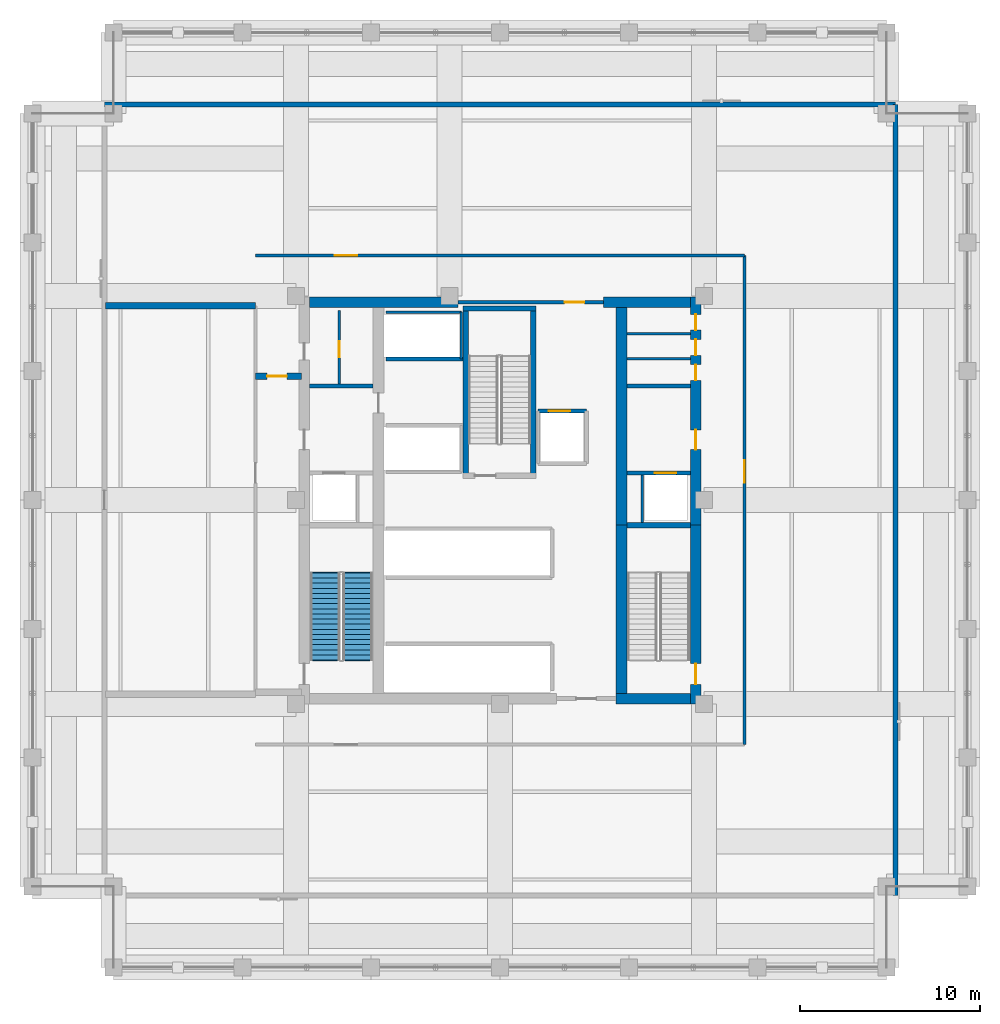
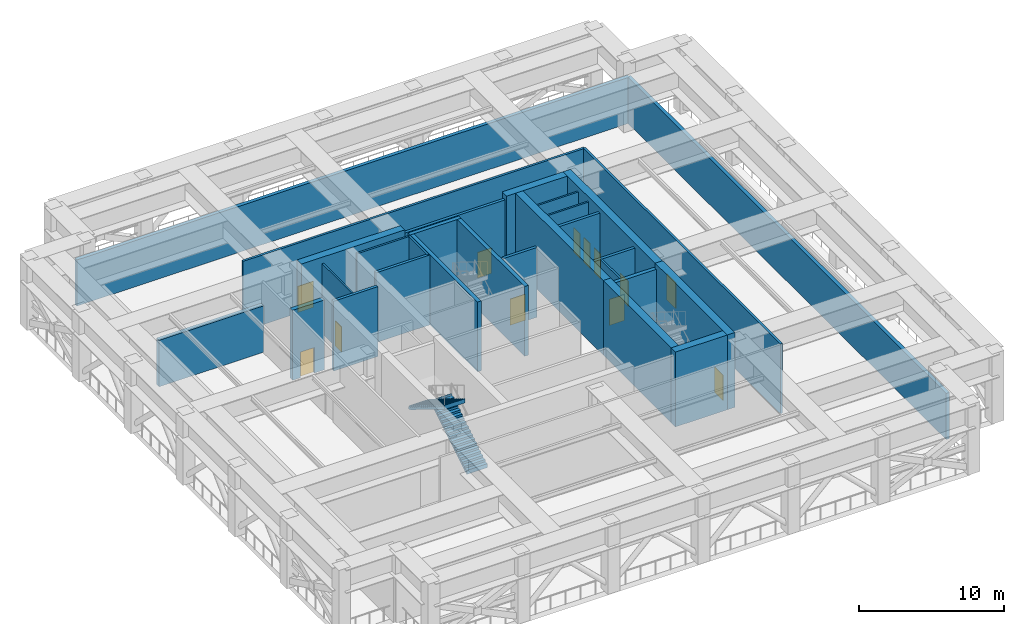
# One storey, part 4 of 12: 29 walls, 12 doors, 2 stair flights, 12 openings, 1 element without a shape of its own.
"""IFC4 building model written with IfcOpenShell, lengths in metres."""

from ifc_helpers import new_model, si_unit, direction, frame, frame_2d, origin, place, context, subcontext, project, spatial, polyline, rectangle, outline, extrude, material, layer, layer_set, type_object, element, fill, aggregate, save


model = new_model("IFC4")

# Units and contexts
model_context = context("Model", 3, precision=1e-05, world=origin(), true_north=direction((0.0, 1.0)))
body_context = subcontext(model_context, "Body", "Model", "MODEL_VIEW")
ifc_project = project(units=[si_unit("LENGTHUNIT", "METRE"), si_unit("AREAUNIT", "SQUARE_METRE"), si_unit("VOLUMEUNIT", "CUBIC_METRE"), si_unit("PLANEANGLEUNIT", "RADIAN"), si_unit("MASSUNIT", "GRAM", prefix="KILO")], contexts=[model_context])

# Site, building, storey
site_placement = place(None, origin())
site = spatial("IfcSite", under=ifc_project, at=site_placement, CompositionType="ELEMENT")
building_placement = place(site_placement, origin())
building = spatial("IfcBuilding", under=site, at=building_placement, Name="Nhamokura Convention Tower", CompositionType="ELEMENT")
storey_placement = place(building_placement, frame((0.0, 0.0, 176.050048828125)))
storey = spatial("IfcBuildingStorey", under=building, at=storey_placement, Name="L43", CompositionType="ELEMENT", Elevation=176.050048828125)

# Wall, opening, door
ifc_material_1 = material(Name="Moisture-resistant tile-backer partition", Category="masonry")
ifc_layer_1 = layer(ifc_material_1, 0.139892578125)
ifc_layer_set_1 = layer_set([ifc_layer_1], Name="BathroomWetWall_140")
wall_type_1 = type_object("IfcWallType", Name="BathroomWetWall_140", PredefinedType="STANDARD", material=ifc_layer_set_1)
wall_1_placement = place(storey_placement, frame((23.050048828125, 38.449951171875, 0.0), z_axis=(0.0, 0.0, 1.0), x_axis=(0.0, 1.0, 0.0)))
wall_1 = element("IfcWall", 1, at=wall_1_placement, inside=storey, type_object=wall_type_1, Name="L43 Wall INT-L43-CWNWV", PredefinedType="STANDARD", context=body_context, shape_type="SweptSolid", body=[
    extrude(rectangle(XDim=4.10009765625, YDim=0.139892578125, at=frame_2d((2.050048828125, 0.0))), origin(), (0.0, 0.0, 1.0), 5.8798828125),
])
opening_1_placement = place(wall_1_placement, frame((1.5, 0.0, 0.0)))
opening_1 = element("IfcOpeningElement", 2, at=opening_1_placement, cuts=wall_1, Name="Opening D-11", PredefinedType="OPENING", context=body_context, shape_type="SweptSolid", body=[
    extrude(rectangle(XDim=0.8798828125, YDim=2.10009765625, at=frame_2d((0.43994140625, 1.050048828125))), frame((0.0, 0.079833984375, 0.0), z_axis=(0.0, -1.0, 0.0), x_axis=(1.0, 0.0, 0.0)), (0.0, 0.0, 1.0), 0.159912109375),
])
ifc_material_2 = material(Name="Solid oak hardwood", Category="wood")
door_type_1 = type_object("IfcDoorType", Name="BathroomDoor_880", OperationType="NOTDEFINED", PredefinedType="DOOR", material=ifc_material_2)
door_1_placement = place(opening_1_placement, origin())
door_1 = element("IfcDoor", 3, at=door_1_placement, inside=storey, type_object=door_type_1, Name="L43 Inner Store Door", OperationType="SINGLE_SWING_LEFT", OverallHeight=2.10009765625, OverallWidth=0.8798828125, PredefinedType="DOOR", context=body_context, shape_type="SweptSolid", body=[
    extrude(rectangle(XDim=0.8798828125, YDim=2.10009765625, at=frame_2d((0.43994140625, 1.050048828125))), frame((0.0, 0.02490234375, 0.0), z_axis=(0.0, -1.0, 0.0), x_axis=(1.0, 0.0, 0.0)), (0.0, 0.0, 1.0), 0.050048828125),
])
fill(opening_1, door_1)

# Walls
for number, where, z_axis, x_axis, name in (
    (4, (39.06005859375, 39.85009765625, 0.0), (0.0, 0.0, 1.0), (1.0, 0.0, 0.0), "L43 Wall INT-L43-CWNE1"),
    (5, (39.06005859375, 41.25, 0.0), (0.0, 0.0, 1.0), (1.0, 0.0, 0.0), "L43 Wall INT-L43-CWNE2"),
):
    element("IfcWall", number, at=place(storey_placement, frame(where, z_axis=z_axis, x_axis=x_axis)), inside=storey, type_object=wall_type_1, Name=name, PredefinedType="STANDARD", context=body_context, shape_type="SweptSolid", body=[
        extrude(rectangle(XDim=3.530029296875, YDim=0.139892578125, at=frame_2d((1.76513671875, 0.0))), origin(), (0.0, 0.0, 1.0), 5.8798828125),
    ])
ifc_material_3 = material(Name="Bronze-pigmented precast concrete C45/55", Category="concrete")
ifc_layer_2 = layer(ifc_material_3, 0.280029296875)
ifc_layer_set_2 = layer_set([ifc_layer_2], Name="BronzePrecastSpandrel_280")
wall_type_2 = type_object("IfcWallType", Name="BronzePrecastSpandrel_280", PredefinedType="USERDEFINED", material=ifc_layer_set_2)
for number, where, z_axis, x_axis, name in (
    (6, (54.0, 54.0, 0.0), (0.0, 0.0, 1.0), (0.0, -1.0, 0.0), "L43 Refuge Deck Enclosure Wall E"),
    (7, (10.0, 54.0, 0.0), (0.0, 0.0, 1.0), (1.0, 0.0, 0.0), "L43 Refuge Deck Enclosure Wall N"),
):
    element("IfcWall", number, at=place(storey_placement, frame(where, z_axis=z_axis, x_axis=x_axis)), inside=storey, type_object=wall_type_2, Name=name, ObjectType="SPANDREL_WALL", PredefinedType="USERDEFINED", context=body_context, shape_type="SweptSolid", body=[
        extrude(rectangle(XDim=44.0, YDim=0.280029296875, at=frame_2d((22.0, 0.0))), origin(), (0.0, 0.0, 1.0), 3.8798828125),
    ])

# Wall, opening, door
ifc_material_4 = material(Name="Concrete C60/75", Category="concrete")
ifc_layer_3 = layer(ifc_material_4, 0.60009765625)
ifc_layer_set_3 = layer_set([ifc_layer_3], Name="CoreShearWall_600")
wall_type_3 = type_object("IfcWallType", Name="CoreShearWall_600", PredefinedType="SHEAR", material=ifc_layer_set_3)
wall_2_placement = place(storey_placement, frame((42.889892578125, 20.64990234375, 0.0), z_axis=(0.0, 0.0, 1.0), x_axis=(0.0, 1.0, 0.0)))
wall_2 = element("IfcWall", 8, at=wall_2_placement, inside=storey, type_object=wall_type_3, Name="L43 Core Shear Wall CW-ES", PredefinedType="SHEAR", context=body_context, shape_type="SweptSolid", body=[
    extrude(rectangle(XDim=9.9501953125, YDim=0.60009765625, at=frame_2d((4.97509765625, 0.0))), origin(), (0.0, 0.0, 1.0), 6.300048828125),
])
opening_2_placement = place(wall_2_placement, frame((1.10009765625, 0.0, 0.0)))
opening_2 = element("IfcOpeningElement", 9, at=opening_2_placement, cuts=wall_2, Name="Opening D-04", PredefinedType="OPENING", context=body_context, shape_type="SweptSolid", body=[
    extrude(rectangle(XDim=1.14990234375, YDim=2.14990234375, at=frame_2d((0.574951171875, 1.074951171875))), frame((0.0, 0.31005859375, 0.0), z_axis=(0.0, -1.0, 0.0), x_axis=(1.0, 0.0, 0.0)), (0.0, 0.0, 1.0), 0.6201171875),
])
ifc_material_5 = material(Name="Fire-rated steel door", Category="steel")
door_type_2 = type_object("IfcDoorType", Name="StairSmokeDoor_1150", OperationType="NOTDEFINED", PredefinedType="DOOR", material=ifc_material_5)
door_2_placement = place(opening_2_placement, origin())
door_2 = element("IfcDoor", 10, at=door_2_placement, inside=storey, type_object=door_type_2, Name="L43 Core Door INT-L43-D-ST02", OperationType="SINGLE_SWING_RIGHT", OverallHeight=2.14990234375, OverallWidth=1.14990234375, PredefinedType="DOOR", context=body_context, shape_type="SweptSolid", body=[
    extrude(rectangle(XDim=1.14990234375, YDim=2.14990234375, at=frame_2d((0.574951171875, 1.074951171875))), frame((0.0, 0.02490234375, 0.0), z_axis=(0.0, -1.0, 0.0), x_axis=(1.0, 0.0, 0.0)), (0.0, 0.0, 1.0), 0.050048828125),
])
fill(opening_2, door_2)

# Wall, openings, doors
wall_3_placement = place(storey_placement, frame((42.889892578125, 30.60009765625, 0.0), z_axis=(0.0, 0.0, 1.0), x_axis=(0.0, 1.0, 0.0)))
wall_3 = element("IfcWall", 11, at=wall_3_placement, inside=storey, type_object=wall_type_3, Name="L43 Core Shear Wall CW-EN", PredefinedType="SHEAR", context=body_context, shape_type="SweptSolid", body=[
    extrude(rectangle(XDim=12.699951171875, YDim=0.60009765625, at=frame_2d((6.35009765625, 0.0))), origin(), (0.0, 0.0, 1.0), 6.300048828125),
])
opening_3_placement = place(wall_3_placement, frame((4.199951171875, 0.0, 0.0)))
opening_3 = element("IfcOpeningElement", 12, at=opening_3_placement, cuts=wall_3, Name="Opening D-05", PredefinedType="OPENING", context=body_context, shape_type="SweptSolid", body=[
    extrude(rectangle(XDim=1.10009765625, YDim=2.14990234375, at=frame_2d((0.550048828125, 1.074951171875))), frame((0.0, 0.31005859375, 0.0), z_axis=(0.0, -1.0, 0.0), x_axis=(1.0, 0.0, 0.0)), (0.0, 0.0, 1.0), 0.6201171875),
])
opening_4_placement = place(wall_3_placement, frame((8.050048828125, 0.0, 0.0)))
opening_4 = element("IfcOpeningElement", 13, at=opening_4_placement, cuts=wall_3, Name="Opening D-11", PredefinedType="OPENING", context=body_context, shape_type="SweptSolid", body=[
    extrude(rectangle(XDim=0.8798828125, YDim=2.10009765625, at=frame_2d((0.43994140625, 1.050048828125))), frame((0.0, 0.31005859375, 0.0), z_axis=(0.0, -1.0, 0.0), x_axis=(1.0, 0.0, 0.0)), (0.0, 0.0, 1.0), 0.6201171875),
])
opening_5_placement = place(wall_3_placement, frame((9.449951171875, 0.0, 0.0)))
opening_5 = element("IfcOpeningElement", 14, at=opening_5_placement, cuts=wall_3, Name="Opening D-11", PredefinedType="OPENING", context=body_context, shape_type="SweptSolid", body=[
    extrude(rectangle(XDim=0.8798828125, YDim=2.10009765625, at=frame_2d((0.43994140625, 1.050048828125))), frame((0.0, 0.31005859375, 0.0), z_axis=(0.0, -1.0, 0.0), x_axis=(1.0, 0.0, 0.0)), (0.0, 0.0, 1.0), 0.6201171875),
])
opening_6_placement = place(wall_3_placement, frame((10.85009765625, 0.0, 0.0)))
opening_6 = element("IfcOpeningElement", 15, at=opening_6_placement, cuts=wall_3, Name="Opening D-11", PredefinedType="OPENING", context=body_context, shape_type="SweptSolid", body=[
    extrude(rectangle(XDim=0.8798828125, YDim=2.10009765625, at=frame_2d((0.43994140625, 1.050048828125))), frame((0.0, 0.31005859375, 0.0), z_axis=(0.0, -1.0, 0.0), x_axis=(1.0, 0.0, 0.0)), (0.0, 0.0, 1.0), 0.6201171875),
])
door_3_placement = place(opening_4_placement, origin())
door_3 = element("IfcDoor", 16, at=door_3_placement, inside=storey, type_object=door_type_1, Name="L43 Core Door INT-L43-D-MWC", OperationType="SINGLE_SWING_LEFT", OverallHeight=2.10009765625, OverallWidth=0.8798828125, PredefinedType="DOOR", context=body_context, shape_type="SweptSolid", body=[
    extrude(rectangle(XDim=0.8798828125, YDim=2.10009765625, at=frame_2d((0.43994140625, 1.050048828125))), frame((0.0, 0.02490234375, 0.0), z_axis=(0.0, -1.0, 0.0), x_axis=(1.0, 0.0, 0.0)), (0.0, 0.0, 1.0), 0.050048828125),
])
fill(opening_4, door_3)
door_4_placement = place(opening_5_placement, origin())
door_4 = element("IfcDoor", 17, at=door_4_placement, inside=storey, type_object=door_type_1, Name="L43 Core Door INT-L43-D-FWC", OperationType="SINGLE_SWING_RIGHT", OverallHeight=2.10009765625, OverallWidth=0.8798828125, PredefinedType="DOOR", context=body_context, shape_type="SweptSolid", body=[
    extrude(rectangle(XDim=0.8798828125, YDim=2.10009765625, at=frame_2d((0.43994140625, 1.050048828125))), frame((0.0, 0.02490234375, 0.0), z_axis=(0.0, -1.0, 0.0), x_axis=(1.0, 0.0, 0.0)), (0.0, 0.0, 1.0), 0.050048828125),
])
fill(opening_5, door_4)
door_5_placement = place(opening_6_placement, origin())
door_5 = element("IfcDoor", 18, at=door_5_placement, inside=storey, type_object=door_type_1, Name="L43 Core Door INT-L43-D-ARC", OperationType="SINGLE_SWING_LEFT", OverallHeight=2.10009765625, OverallWidth=0.8798828125, PredefinedType="DOOR", context=body_context, shape_type="SweptSolid", body=[
    extrude(rectangle(XDim=0.8798828125, YDim=2.10009765625, at=frame_2d((0.43994140625, 1.050048828125))), frame((0.0, 0.02490234375, 0.0), z_axis=(0.0, -1.0, 0.0), x_axis=(1.0, 0.0, 0.0)), (0.0, 0.0, 1.0), 0.050048828125),
])
fill(opening_6, door_5)
ifc_material_6 = material(Name="Fire-rated steel door", Category="steel")
door_type_3 = type_object("IfcDoorType", Name="FireLobbyDoor_1100", OperationType="NOTDEFINED", PredefinedType="DOOR", material=ifc_material_6)
door_6_placement = place(opening_3_placement, origin())
door_6 = element("IfcDoor", 19, at=door_6_placement, inside=storey, type_object=door_type_3, Name="L43 Core Door INT-L43-D-FFLE", OperationType="SINGLE_SWING_LEFT", OverallHeight=2.14990234375, OverallWidth=1.10009765625, PredefinedType="DOOR", context=body_context, shape_type="SweptSolid", body=[
    extrude(rectangle(XDim=1.10009765625, YDim=2.14990234375, at=frame_2d((0.550048828125, 1.074951171875))), frame((0.0, 0.02490234375, 0.0), z_axis=(0.0, -1.0, 0.0), x_axis=(1.0, 0.0, 0.0)), (0.0, 0.0, 1.0), 0.050048828125),
])
fill(opening_3, door_6)

# Walls
wall_4_placement = place(storey_placement, frame((38.449951171875, 20.949951171875, 0.0), z_axis=(0.0, 0.0, 1.0), x_axis=(1.0, 0.0, 0.0)))
element("IfcWall", 20, at=wall_4_placement, inside=storey, type_object=wall_type_3, Name="L43 Core Shear Wall CW-S2", PredefinedType="SHEAR", context=body_context, shape_type="SweptSolid", body=[
    extrude(rectangle(XDim=4.14013671875, YDim=0.60009765625, at=frame_2d((2.070068359375, 0.0))), origin(), (0.0, 0.0, 1.0), 6.300048828125),
])
wall_5_placement = place(storey_placement, frame((21.409912109375, 43.0, 0.0), z_axis=(0.0, 0.0, 1.0), x_axis=(1.0, 0.0, 0.0)))
element("IfcWall", 21, at=wall_5_placement, inside=storey, type_object=wall_type_3, Name="L43 Core Shear Wall CW-N1", PredefinedType="SHEAR", context=body_context, shape_type="SweptSolid", body=[
    extrude(rectangle(XDim=8.239990234375, YDim=0.60009765625, at=frame_2d((4.1201171875, 0.0))), origin(), (0.0, 0.0, 1.0), 6.300048828125),
])
wall_6_placement = place(storey_placement, frame((37.75, 43.0, 0.0), z_axis=(0.0, 0.0, 1.0), x_axis=(1.0, 0.0, 0.0)))
element("IfcWall", 22, at=wall_6_placement, inside=storey, type_object=wall_type_3, Name="L43 Core Shear Wall CW-N2", PredefinedType="SHEAR", context=body_context, shape_type="SweptSolid", body=[
    extrude(rectangle(XDim=4.840087890625, YDim=0.60009765625, at=frame_2d((2.419921875, 0.0))), origin(), (0.0, 0.0, 1.0), 6.300048828125),
])
wall_7_placement = place(storey_placement, frame((38.760009765625, 21.25, 0.0), z_axis=(0.0, 0.0, 1.0), x_axis=(0.0, 1.0, 0.0)))
element("IfcWall", 23, at=wall_7_placement, inside=storey, type_object=wall_type_3, Name="L43 Core Shear Wall CW-IES", PredefinedType="SHEAR", context=body_context, shape_type="SweptSolid", body=[
    extrude(rectangle(XDim=9.35009765625, YDim=0.60009765625, at=frame_2d((4.675048828125, 0.0))), origin(), (0.0, 0.0, 1.0), 6.300048828125),
])
wall_8_placement = place(storey_placement, frame((38.760009765625, 30.60009765625, 0.0), z_axis=(0.0, 0.0, 1.0), x_axis=(0.0, 1.0, 0.0)))
element("IfcWall", 24, at=wall_8_placement, inside=storey, type_object=wall_type_3, Name="L43 Core Shear Wall CW-IEN", PredefinedType="SHEAR", context=body_context, shape_type="SweptSolid", body=[
    extrude(rectangle(XDim=12.099853515625, YDim=0.60009765625, at=frame_2d((6.0498046875, 0.0))), origin(), (0.0, 0.0, 1.0), 6.300048828125),
])

# Wall, opening, door
ifc_material_7 = material(Name="Fire-rated gypsum and masonry partition", Category="masonry")
ifc_layer_4 = layer(ifc_material_7, 0.179931640625)
ifc_layer_set_4 = layer_set([ifc_layer_4], Name="CorridorRatedWall_180")
wall_type_4 = type_object("IfcWallType", Name="CorridorRatedWall_180", PredefinedType="STANDARD", material=ifc_layer_set_4)
wall_9_placement = place(storey_placement, frame((18.39990234375, 45.60009765625, 0.0), z_axis=(0.0, 0.0, 1.0), x_axis=(1.0, 0.0, 0.0)))
wall_9 = element("IfcWall", 25, at=wall_9_placement, inside=storey, type_object=wall_type_4, Name="L43 Wall INT-L43-CW-N00", PredefinedType="STANDARD", context=body_context, shape_type="SweptSolid", body=[
    extrude(rectangle(XDim=27.2001953125, YDim=0.179931640625, at=frame_2d((13.60009765625, 0.0))), origin(), (0.0, 0.0, 1.0), 5.8798828125),
])
opening_7_placement = place(wall_9_placement, frame((4.39990234375, 0.0, 0.0)))
opening_7 = element("IfcOpeningElement", 26, at=opening_7_placement, cuts=wall_9, Name="Opening D-12", PredefinedType="OPENING", context=body_context, shape_type="SweptSolid", body=[
    extrude(rectangle(XDim=1.25, YDim=2.199951171875, at=frame_2d((0.625, 1.10009765625))), frame((0.0, 0.099853515625, 0.0), z_axis=(0.0, -1.0, 0.0), x_axis=(1.0, 0.0, 0.0)), (0.0, 0.0, 1.0), 0.199951171875),
])
ifc_material_8 = material(Name="Fire-rated steel door", Category="steel")
door_type_4 = type_object("IfcDoorType", Name="PlantServiceDoor_1250", OperationType="NOTDEFINED", PredefinedType="DOOR", material=ifc_material_8)
door_7_placement = place(opening_7_placement, origin())
door_7 = element("IfcDoor", 27, at=door_7_placement, inside=storey, type_object=door_type_4, Name="L43 High-Altitude AHU Plant N01 Door", OperationType="SINGLE_SWING_LEFT", OverallHeight=2.199951171875, OverallWidth=1.25, PredefinedType="DOOR", context=body_context, shape_type="SweptSolid", body=[
    extrude(rectangle(XDim=1.25, YDim=2.199951171875, at=frame_2d((0.625, 1.10009765625))), frame((0.0, 0.02490234375, 0.0), z_axis=(0.0, -1.0, 0.0), x_axis=(1.0, 0.0, 0.0)), (0.0, 0.0, 1.0), 0.050048828125),
])
fill(opening_7, door_7)

wall_10_placement = place(storey_placement, frame((45.60009765625, 18.39990234375, 0.0), z_axis=(0.0, 0.0, 1.0), x_axis=(0.0, 1.0, 0.0)))
wall_10 = element("IfcWall", 28, at=wall_10_placement, inside=storey, type_object=wall_type_4, Name="L43 Wall INT-L43-CW-E00", PredefinedType="STANDARD", context=body_context, shape_type="SweptSolid", body=[
    extrude(rectangle(XDim=27.2001953125, YDim=0.179931640625, at=frame_2d((13.60009765625, 0.0))), origin(), (0.0, 0.0, 1.0), 5.8798828125),
])
opening_8_placement = place(wall_10_placement, frame((14.550048828125, 0.0, 0.0)))
opening_8 = element("IfcOpeningElement", 29, at=opening_8_placement, cuts=wall_10, Name="Opening D-12", PredefinedType="OPENING", context=body_context, shape_type="SweptSolid", body=[
    extrude(rectangle(XDim=1.25, YDim=2.199951171875, at=frame_2d((0.625, 1.10009765625))), frame((0.0, 0.099853515625, 0.0), z_axis=(0.0, -1.0, 0.0), x_axis=(1.0, 0.0, 0.0)), (0.0, 0.0, 1.0), 0.199951171875),
])
door_8_placement = place(opening_8_placement, origin())
door_8 = element("IfcDoor", 30, at=door_8_placement, inside=storey, type_object=door_type_4, Name="L43 Chilled-Water Heat Exchanger Plant E01 Door", OperationType="SINGLE_SWING_LEFT", OverallHeight=2.199951171875, OverallWidth=1.25, PredefinedType="DOOR", context=body_context, shape_type="SweptSolid", body=[
    extrude(rectangle(XDim=1.25, YDim=2.199951171875, at=frame_2d((0.625, 1.10009765625))), frame((0.0, 0.02490234375, 0.0), z_axis=(0.0, -1.0, 0.0), x_axis=(1.0, 0.0, 0.0)), (0.0, 0.0, 1.0), 0.050048828125),
])
fill(opening_8, door_8)

ifc_material_9 = material(Name="Autoclaved concrete blockwork", Category="masonry")
ifc_layer_5 = layer(ifc_material_9, 0.219970703125)
ifc_layer_set_5 = layer_set([ifc_layer_5], Name="FireLobbyWall_220")
wall_type_5 = type_object("IfcWallType", Name="FireLobbyWall_220", PredefinedType="STANDARD", material=ifc_layer_set_5)
wall_11_placement = place(storey_placement, frame((39.06005859375, 33.5, 0.0), z_axis=(0.0, 0.0, 1.0), x_axis=(1.0, 0.0, 0.0)))
wall_11 = element("IfcWall", 31, at=wall_11_placement, inside=storey, type_object=wall_type_5, Name="L43 Wall INT-L43-FFE-S", PredefinedType="STANDARD", context=body_context, shape_type="SweptSolid", body=[
    extrude(rectangle(XDim=3.530029296875, YDim=0.219970703125, at=frame_2d((1.76513671875, 0.0))), origin(), (0.0, 0.0, 1.0), 5.8798828125),
])
opening_9_placement = place(wall_11_placement, frame((1.550048828125, 0.0, 0.0)))
opening_9 = element("IfcOpeningElement", 32, at=opening_9_placement, cuts=wall_11, Name="Opening LD-02", PredefinedType="OPENING", context=body_context, shape_type="SweptSolid", body=[
    extrude(rectangle(XDim=1.199951171875, YDim=2.199951171875, at=frame_2d((0.60009765625, 1.10009765625))), frame((0.0, 0.119873046875, 0.0), z_axis=(0.0, -1.0, 0.0), x_axis=(1.0, 0.0, 0.0)), (0.0, 0.0, 1.0), 0.239990234375),
])
ifc_material_10 = material(Name="Anodised bronze stainless steel", Category="steel")
door_type_5 = type_object("IfcDoorType", Name="LiftLandingDoor_FireService", OperationType="DOUBLE_DOOR_SLIDING", PredefinedType="DOOR", material=ifc_material_10)
door_9_placement = place(opening_9_placement, origin())
door_9 = element("IfcDoor", 33, at=door_9_placement, inside=storey, type_object=door_type_5, Name="L43 Firefighting Lift LF-02 Door", OperationType="DOUBLE_DOOR_SLIDING", OverallHeight=2.199951171875, OverallWidth=1.199951171875, PredefinedType="DOOR", context=body_context, shape_type="SweptSolid", body=[
    extrude(rectangle(XDim=1.199951171875, YDim=2.199951171875, at=frame_2d((0.60009765625, 1.10009765625))), frame((0.0, 0.02490234375, 0.0), z_axis=(0.0, -1.0, 0.0), x_axis=(1.0, 0.0, 0.0)), (0.0, 0.0, 1.0), 0.050048828125),
])
fill(opening_9, door_9)

# Walls
for number, where, z_axis, x_axis, name in (
    (34, (21.409912109375, 38.35009765625, 0.0), (0.0, 0.0, 1.0), (1.0, 0.0, 0.0), "L43 Wall INT-L43-FFW-N"),
    (35, (39.06005859375, 38.35009765625, 0.0), (0.0, 0.0, 1.0), (1.0, 0.0, 0.0), "L43 Wall INT-L43-FFE-N"),
):
    element("IfcWall", number, at=place(storey_placement, frame(where, z_axis=z_axis, x_axis=x_axis)), inside=storey, type_object=wall_type_5, Name=name, PredefinedType="STANDARD", context=body_context, shape_type="SweptSolid", body=[
        extrude(rectangle(XDim=3.530029296875, YDim=0.219970703125, at=frame_2d((1.76513671875, 0.0))), origin(), (0.0, 0.0, 1.0), 5.8798828125),
    ])
wall_12_placement = place(storey_placement, frame((25.64990234375, 39.85009765625, 0.0), z_axis=(0.0, 0.0, 1.0), x_axis=(1.0, 0.0, 0.0)))
element("IfcWall", 36, at=wall_12_placement, inside=storey, type_object=wall_type_5, Name="L43 Wall INT-L43-B3N", PredefinedType="STANDARD", context=body_context, shape_type="SweptSolid", body=[
    extrude(rectangle(XDim=4.300048828125, YDim=0.219970703125, at=frame_2d((2.14990234375, 0.0))), origin(), (0.0, 0.0, 1.0), 5.8798828125),
])

# Wall, opening, door
wall_13_placement = place(storey_placement, frame((29.64990234375, 43.0, 0.0), z_axis=(0.0, 0.0, 1.0), x_axis=(1.0, 0.0, 0.0)))
wall_13 = element("IfcWall", 37, at=wall_13_placement, inside=storey, type_object=wall_type_5, Name="L43 Wall INT-L43-CPORT-N", PredefinedType="STANDARD", context=body_context, shape_type="SweptSolid", body=[
    extrude(rectangle(XDim=8.10009765625, YDim=0.219970703125, at=frame_2d((4.050048828125, 0.0))), origin(), (0.0, 0.0, 1.0), 5.8798828125),
])
opening_10_placement = place(wall_13_placement, frame((5.949951171875, 0.0, 0.0)))
opening_10 = element("IfcOpeningElement", 38, at=opening_10_placement, cuts=wall_13, Name="Opening D-05", PredefinedType="OPENING", context=body_context, shape_type="SweptSolid", body=[
    extrude(rectangle(XDim=1.10009765625, YDim=2.14990234375, at=frame_2d((0.550048828125, 1.074951171875))), frame((0.0, 0.119873046875, 0.0), z_axis=(0.0, -1.0, 0.0), x_axis=(1.0, 0.0, 0.0)), (0.0, 0.0, 1.0), 0.239990234375),
])
door_10_placement = place(opening_10_placement, origin())
door_10 = element("IfcDoor", 39, at=door_10_placement, inside=storey, type_object=door_type_3, Name="L43 North Core Lobby Portal Door", OperationType="SINGLE_SWING_RIGHT", OverallHeight=2.14990234375, OverallWidth=1.10009765625, PredefinedType="DOOR", context=body_context, shape_type="SweptSolid", body=[
    extrude(rectangle(XDim=1.10009765625, YDim=2.14990234375, at=frame_2d((0.550048828125, 1.074951171875))), frame((0.0, 0.02490234375, 0.0), z_axis=(0.0, -1.0, 0.0), x_axis=(1.0, 0.0, 0.0)), (0.0, 0.0, 1.0), 0.050048828125),
])
fill(opening_10, door_10)

wall_14_placement = place(storey_placement, frame((34.1201171875, 36.949951171875, 0.0), z_axis=(0.0, 0.0, 1.0), x_axis=(1.0, 0.0, 0.0)))
wall_14 = element("IfcWall", 40, at=wall_14_placement, inside=storey, type_object=wall_type_5, Name="L43 Wall INT-L43-LSN", PredefinedType="STANDARD", context=body_context, shape_type="SweptSolid", body=[
    extrude(rectangle(XDim=2.679931640625, YDim=0.219970703125, at=frame_2d((1.33984375, 0.0))), origin(), (0.0, 0.0, 1.0), 5.8798828125),
])
opening_11_placement = place(wall_14_placement, frame((0.580078125, 0.0, 0.0)))
opening_11 = element("IfcOpeningElement", 41, at=opening_11_placement, cuts=wall_14, Name="Opening LD-02", PredefinedType="OPENING", context=body_context, shape_type="SweptSolid", body=[
    extrude(rectangle(XDim=1.199951171875, YDim=2.199951171875, at=frame_2d((0.60009765625, 1.10009765625))), frame((0.0, 0.119873046875, 0.0), z_axis=(0.0, -1.0, 0.0), x_axis=(1.0, 0.0, 0.0)), (0.0, 0.0, 1.0), 0.239990234375),
])
door_11_placement = place(opening_11_placement, origin())
door_11 = element("IfcDoor", 42, at=door_11_placement, inside=storey, type_object=door_type_5, Name="L43 Service Lift LS-01 Door", OperationType="DOUBLE_DOOR_SLIDING", OverallHeight=2.199951171875, OverallWidth=1.199951171875, PredefinedType="DOOR", context=body_context, shape_type="SweptSolid", body=[
    extrude(rectangle(XDim=1.199951171875, YDim=2.199951171875, at=frame_2d((0.60009765625, 1.10009765625))), frame((0.0, 0.02490234375, 0.0), z_axis=(0.0, -1.0, 0.0), x_axis=(1.0, 0.0, 0.0)), (0.0, 0.0, 1.0), 0.050048828125),
])
fill(opening_11, door_11)

ifc_material_11 = material(Name="Concrete C50/60", Category="concrete")
ifc_layer_6 = layer(ifc_material_11, 0.35009765625)
ifc_layer_set_6 = layer_set([ifc_layer_6], Name="FirewallPlant_350")
wall_type_6 = type_object("IfcWallType", Name="FirewallPlant_350", PredefinedType="STANDARD", material=ifc_layer_set_6)
wall_15_placement = place(storey_placement, frame((18.39990234375, 38.8798828125, 0.0), z_axis=(0.0, 0.0, 1.0), x_axis=(1.0, 0.0, 0.0)))
wall_15 = element("IfcWall", 43, at=wall_15_placement, inside=storey, type_object=wall_type_6, Name="L43 Wall INT-L43-RLOB-N", PredefinedType="STANDARD", context=body_context, shape_type="SweptSolid", body=[
    extrude(rectangle(XDim=2.550048828125, YDim=0.35009765625, at=frame_2d((1.27490234375, 0.0))), origin(), (0.0, 0.0, 1.0), 5.8798828125),
])
opening_12_placement = place(wall_15_placement, frame((0.64990234375, 0.0, 0.0)))
opening_12 = element("IfcOpeningElement", 44, at=opening_12_placement, cuts=wall_15, Name="Opening D-05", PredefinedType="OPENING", context=body_context, shape_type="SweptSolid", body=[
    extrude(rectangle(XDim=1.10009765625, YDim=2.14990234375, at=frame_2d((0.550048828125, 1.074951171875))), frame((0.0, 0.18505859375, 0.0), z_axis=(0.0, -1.0, 0.0), x_axis=(1.0, 0.0, 0.0)), (0.0, 0.0, 1.0), 0.3701171875),
])
door_12_placement = place(opening_12_placement, origin())
door_12 = element("IfcDoor", 45, at=door_12_placement, inside=storey, type_object=door_type_3, Name="L43 Refuge Lobby North Door", OperationType="SINGLE_SWING_RIGHT", OverallHeight=2.14990234375, OverallWidth=1.10009765625, PredefinedType="DOOR", context=body_context, shape_type="SweptSolid", body=[
    extrude(rectangle(XDim=1.10009765625, YDim=2.14990234375, at=frame_2d((0.550048828125, 1.074951171875))), frame((0.0, 0.02490234375, 0.0), z_axis=(0.0, -1.0, 0.0), x_axis=(1.0, 0.0, 0.0)), (0.0, 0.0, 1.0), 0.050048828125),
])
fill(opening_12, door_12)

# Walls
wall_16_placement = place(storey_placement, frame((10.050048828125, 42.800048828125, 0.0), z_axis=(0.0, 0.0, 1.0), x_axis=(1.0, 0.0, 0.0)))
element("IfcWall", 46, at=wall_16_placement, inside=storey, type_object=wall_type_6, Name="L43 Wall INT-L43-RWT-W", PredefinedType="STANDARD", context=body_context, shape_type="SweptSolid", body=[
    extrude(rectangle(XDim=8.349853515625, YDim=0.35009765625, at=frame_2d((4.1748046875, 0.0))), origin(), (0.0, 0.0, 1.0), 3.907958984375),
])
ifc_material_12 = material(Name="Acoustic gypsum stud partition", Category="masonry")
ifc_layer_7 = layer(ifc_material_12, 0.14990234375)
ifc_layer_set_7 = layer_set([ifc_layer_7], Name="InteriorPartition_150")
wall_type_7 = type_object("IfcWallType", Name="InteriorPartition_150", PredefinedType="STANDARD", material=ifc_layer_set_7)
wall_17_placement = place(storey_placement, frame((39.919921875, 30.75, 0.0), z_axis=(0.0, 0.0, 1.0), x_axis=(0.0, 1.0, 0.0)))
element("IfcWall", 47, at=wall_17_placement, inside=storey, type_object=wall_type_7, Name="L43 Wall INT-L43-FF2-W", PredefinedType="STANDARD", context=body_context, shape_type="SweptSolid", body=[
    extrude(rectangle(XDim=2.64990234375, YDim=0.14990234375, at=frame_2d((1.324951171875, 0.0))), origin(), (0.0, 0.0, 1.0), 5.8798828125),
])
wall_18_placement = place(storey_placement, frame((25.64990234375, 42.449951171875, 0.0), z_axis=(0.0, 0.0, 1.0), x_axis=(1.0, 0.0, 0.0)))
element("IfcWall", 48, at=wall_18_placement, inside=storey, type_object=wall_type_7, Name="L43 Wall INT-L43-B3B-N", PredefinedType="STANDARD", context=body_context, shape_type="SweptSolid", body=[
    extrude(rectangle(XDim=4.2001953125, YDim=0.14990234375, at=frame_2d((2.10009765625, 0.0))), origin(), (0.0, 0.0, 1.0), 5.8798828125),
])
wall_19_placement = place(storey_placement, frame((29.85009765625, 39.85009765625, 0.0), z_axis=(0.0, 0.0, 1.0), x_axis=(0.0, 1.0, 0.0)))
element("IfcWall", 49, at=wall_19_placement, inside=storey, type_object=wall_type_7, Name="L43 Wall INT-L43-B3B-E", PredefinedType="STANDARD", context=body_context, shape_type="SweptSolid", body=[
    extrude(rectangle(XDim=2.599853515625, YDim=0.14990234375, at=frame_2d((1.2998046875, 0.0))), origin(), (0.0, 0.0, 1.0), 5.8798828125),
])
ifc_material_13 = material(Name="Concrete C50/60", Category="concrete")
ifc_layer_8 = layer(ifc_material_13, 0.300048828125)
ifc_layer_set_8 = layer_set([ifc_layer_8], Name="ShaftEnclosureWall_300")
wall_type_8 = type_object("IfcWallType", Name="ShaftEnclosureWall_300", PredefinedType="SHEAR", material=ifc_layer_set_8)
wall_20_placement = place(storey_placement, frame((39.06005859375, 30.60009765625, 0.0), z_axis=(0.0, 0.0, 1.0), x_axis=(1.0, 0.0, 0.0)))
element("IfcWall", 50, at=wall_20_placement, inside=storey, type_object=wall_type_8, Name="L43 Wall INT-L43-ST02-N", PredefinedType="SHEAR", context=body_context, shape_type="SweptSolid", body=[
    extrude(rectangle(XDim=3.530029296875, YDim=0.300048828125, at=frame_2d((1.76513671875, 0.0))), origin(), (0.0, 0.0, 1.0), 5.8798828125),
])
for number, where, z_axis, x_axis, name in (
    (51, (30.10009765625, 33.199951171875, 0.0), (0.0, 0.0, 1.0), (0.0, 1.0, 0.0), "L43 Wall INT-L43-ST03W"),
    (52, (33.85009765625, 33.199951171875, 0.0), (0.0, 0.0, 1.0), (0.0, 1.0, 0.0), "L43 Wall INT-L43-ST03E"),
):
    element("IfcWall", number, at=place(storey_placement, frame(where, z_axis=z_axis, x_axis=x_axis)), inside=storey, type_object=wall_type_8, Name=name, PredefinedType="SHEAR", context=body_context, shape_type="SweptSolid", body=[
        extrude(rectangle(XDim=9.60009765625, YDim=0.300048828125, at=frame_2d((4.800048828125, 0.0))), origin(), (0.0, 0.0, 1.0), 5.8798828125),
    ])
wall_21_placement = place(storey_placement, frame((29.949951171875, 42.64990234375, 0.0), z_axis=(0.0, 0.0, 1.0), x_axis=(1.0, 0.0, 0.0)))
element("IfcWall", 53, at=wall_21_placement, inside=storey, type_object=wall_type_8, Name="L43 Wall INT-L43-ST03N", PredefinedType="SHEAR", context=body_context, shape_type="SweptSolid", body=[
    extrude(rectangle(XDim=4.050048828125, YDim=0.300048828125, at=frame_2d((2.02490234375, 0.0))), origin(), (0.0, 0.0, 1.0), 5.8798828125),
])

# Stair, stair flights
ifc_material_14 = material(Name="Concrete C40/50", Category="concrete")
stair_type = type_object("IfcStairType", Name="TowerCoreStair_1650", PredefinedType="HALF_TURN_STAIR", material=ifc_material_14)
stair_placement = place(storey_placement, origin())
stair = element("IfcStair", 54, at=stair_placement, inside=storey, type_object=stair_type, Name="L43 West Core Smokeproof Stair ST-01", PredefinedType="HALF_TURN_STAIR")
ifc_material_15 = material(Name="Concrete C40/50", Category="concrete")
stair_flight_type = type_object("IfcStairFlightType", Name="TowerCoreStair_1650_Flight", PredefinedType="STRAIGHT", material=ifc_material_15)
stair_flight_1_placement = place(storey_placement, frame((24.074951171875, 23.10009765625, 0.0), z_axis=(0.0, 0.0, 1.0), x_axis=(0.0, 1.0, 0.0)))
stair_flight_1 = element("IfcStairFlight", 55, at=stair_flight_1_placement, type_object=stair_flight_type, Name="ST-01 flight 1", NumberOfRisers=18, NumberOfTreads=17, PredefinedType="STRAIGHT", RiserHeight=0.175, TreadLength=0.285, context=body_context, shape_type="SweptSolid", body=[
    extrude(outline(polyline([(-0.0419921875, 0.0), (0.0, 0.175048828125), (0.284912109375, 0.175048828125), (0.284912109375, 0.35009765625), (0.570068359375, 0.35009765625), (0.570068359375, 0.52490234375), (0.85498046875, 0.52490234375), (0.85498046875, 0.699951171875), (1.139892578125, 0.699951171875), (1.139892578125, 0.875), (1.425048828125, 0.875), (1.425048828125, 1.050048828125), (1.7099609375, 1.050048828125), (1.7099609375, 1.22509765625), (1.9951171875, 1.22509765625), (1.9951171875, 1.39990234375), (2.280029296875, 1.39990234375), (2.280029296875, 1.574951171875), (2.56494140625, 1.574951171875), (2.56494140625, 1.75), (2.85009765625, 1.75), (2.85009765625, 1.925048828125), (3.135009765625, 1.925048828125), (3.135009765625, 2.10009765625), (3.419921875, 2.10009765625), (3.419921875, 2.27490234375), (3.705078125, 2.27490234375), (3.705078125, 2.449951171875), (3.989990234375, 2.449951171875), (3.989990234375, 2.625), (4.27490234375, 2.625), (4.27490234375, 2.800048828125), (4.56005859375, 2.800048828125), (4.56005859375, 2.97509765625), (4.844970703125, 2.97509765625), (4.844970703125, 3.14990234375), (4.886962890625, 3.14990234375), (4.886962890625, 2.799072265625), (4.844970703125, 2.799072265625), (0.286376953125, 0.0), (0.02001953125, -0.1298828125), (-0.0419921875, -0.1298828125), (-0.0419921875, 0.0)])), frame((0.0, 0.824951171875, 0.0), z_axis=(0.0, -1.0, 0.0), x_axis=(1.0, 0.0, 0.0)), (0.0, 0.0, 1.0), 1.64990234375),
])
stair_flight_2_placement = place(storey_placement, frame((22.27490234375, 27.945068359375, 3.14990234375), z_axis=(0.0, 0.0, 1.0), x_axis=(0.0, -1.0, 0.0)))
stair_flight_2 = element("IfcStairFlight", 56, at=stair_flight_2_placement, type_object=stair_flight_type, Name="ST-01 flight 2", NumberOfRisers=18, NumberOfTreads=17, PredefinedType="STRAIGHT", RiserHeight=0.175, TreadLength=0.285, context=body_context, shape_type="SweptSolid", body=[
    extrude(outline(polyline([(-0.0419921875, 0.0), (0.0, 0.175048828125), (0.284912109375, 0.175048828125), (0.284912109375, 0.35009765625), (0.570068359375, 0.35009765625), (0.570068359375, 0.52490234375), (0.85498046875, 0.52490234375), (0.85498046875, 0.699951171875), (1.139892578125, 0.699951171875), (1.139892578125, 0.875), (1.425048828125, 0.875), (1.425048828125, 1.050048828125), (1.7099609375, 1.050048828125), (1.7099609375, 1.22509765625), (1.9951171875, 1.22509765625), (1.9951171875, 1.39990234375), (2.280029296875, 1.39990234375), (2.280029296875, 1.574951171875), (2.56494140625, 1.574951171875), (2.56494140625, 1.75), (2.85009765625, 1.75), (2.85009765625, 1.925048828125), (3.135009765625, 1.925048828125), (3.135009765625, 2.10009765625), (3.419921875, 2.10009765625), (3.419921875, 2.27490234375), (3.705078125, 2.27490234375), (3.705078125, 2.449951171875), (3.989990234375, 2.449951171875), (3.989990234375, 2.625), (4.27490234375, 2.625), (4.27490234375, 2.800048828125), (4.56005859375, 2.800048828125), (4.56005859375, 2.97509765625), (4.844970703125, 2.97509765625), (4.844970703125, 3.14990234375), (4.886962890625, 3.14990234375), (4.886962890625, 2.799072265625), (4.844970703125, 2.799072265625), (0.286376953125, 0.0), (0.02001953125, -0.1298828125), (-0.0419921875, -0.1298828125), (-0.0419921875, 0.0)])), frame((0.0, 0.824951171875, 0.0), z_axis=(0.0, -1.0, 0.0), x_axis=(1.0, 0.0, 0.0)), (0.0, 0.0, 1.0), 1.64990234375),
])
aggregate(stair, [stair_flight_1, stair_flight_2])

save(model, "model.ifc")
